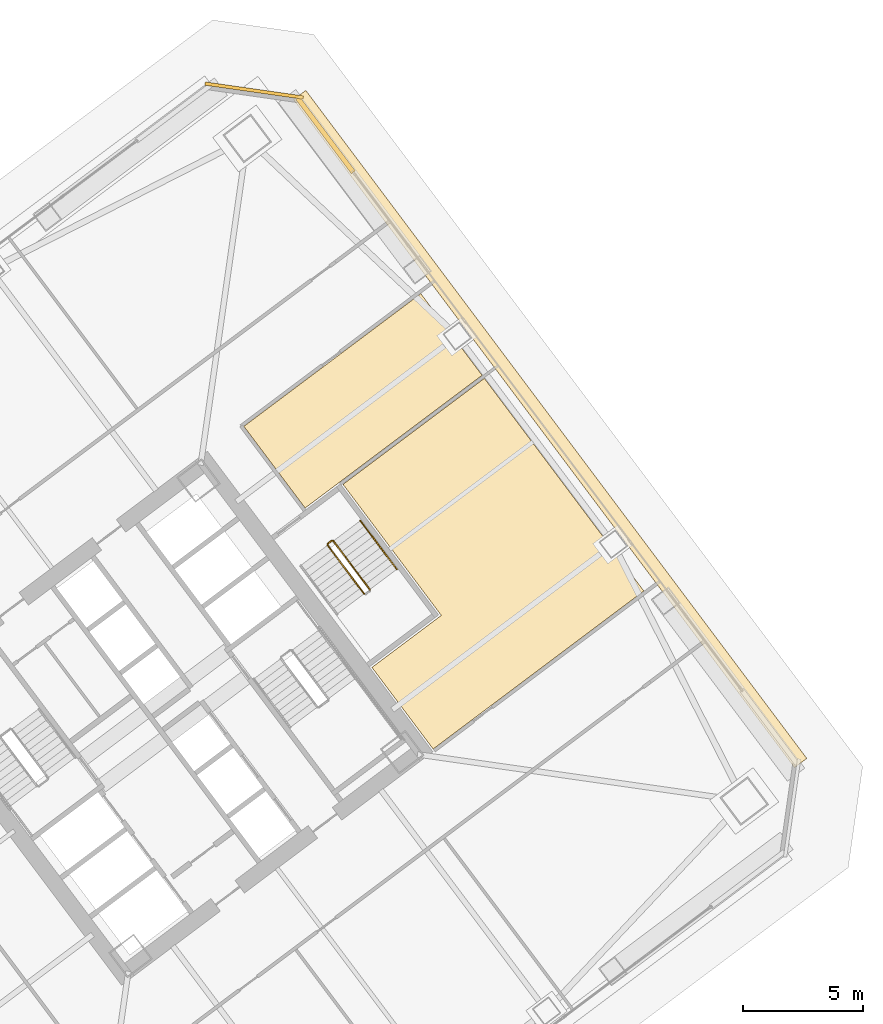
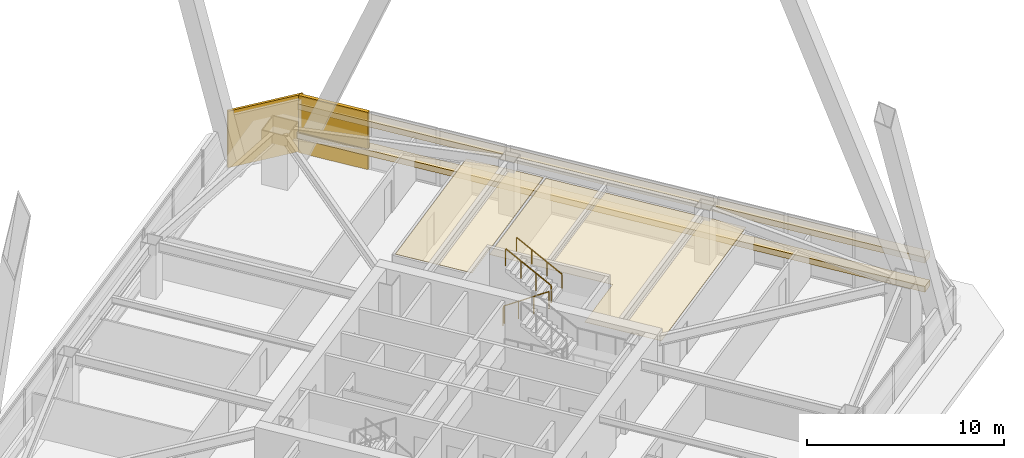
# One storey, part 67 of 67: 6 coverings, 4 railings.
"""IFC4 building model written with IfcOpenShell, lengths in metres."""

from ifc_helpers import new_model, si_unit, direction, frame, origin, origin_2d, place, context, subcontext, project, spatial, polyline, rectangle, outline, extrude, material, layer, layer_set, type_object, element, save


model = new_model("IFC4")

# Units and contexts
model_context = context("Model", 3, precision=1e-05, world=origin(), true_north=direction((0.0, 1.0)))
body_context = subcontext(model_context, "Body", "Model", "MODEL_VIEW")
ifc_project = project(units=[si_unit("LENGTHUNIT", "METRE"), si_unit("AREAUNIT", "SQUARE_METRE"), si_unit("VOLUMEUNIT", "CUBIC_METRE"), si_unit("PLANEANGLEUNIT", "RADIAN"), si_unit("MASSUNIT", "GRAM", prefix="KILO")], contexts=[model_context])

# Site, building, storey
site_placement = place(None, origin())
site = spatial("IfcSite", under=ifc_project, at=site_placement, CompositionType="ELEMENT")
building_placement = place(site_placement, origin())
building = spatial("IfcBuilding", under=site, at=building_placement, Name="Tashvorn Skyway Center", CompositionType="ELEMENT")
storey_placement = place(building_placement, frame((0.0, 0.0, 67.199951171875)))
storey = spatial("IfcBuildingStorey", under=building, at=storey_placement, Name="L17", CompositionType="ELEMENT", Elevation=67.199951171875)

# Coverings
ifc_material_1 = material(Name="Precast concrete C40/50", Category="concrete")
ifc_layer_1 = layer(ifc_material_1, 0.199951171875)
ifc_layer_set_1 = layer_set([ifc_layer_1], Name="Precast concrete C40/50")
covering_type_1 = type_object("IfcCoveringType", Name="COV-BRACE-CLAD", PredefinedType="CLADDING", material=ifc_layer_set_1)
covering_1_placement = place(storey_placement, frame((120.68798828125, 56.216064453125, 0.0), z_axis=(0.0, 0.0, 1.0), x_axis=(0.600000004945, -0.799999996291, 0.0)))
element("IfcCovering", 1, at=covering_1_placement, inside=storey, type_object=covering_type_1, Name="Tower 2 L17 East Unitised Curtain Wall Mega-Brace Cladding Band 1", PredefinedType="CLADDING", context=body_context, shape_type="SweptSolid", body=[
    extrude(rectangle(XDim=3.840087890625, YDim=0.199951171875, at=origin_2d()), origin(), (0.0, 0.0, 1.0), 3.550048828125),
])
ifc_material_2 = material(Name="Mineral-fibre acoustic ceiling tile on suspended grid")
ifc_layer_2 = layer(ifc_material_2, 0.02001953125)
ifc_layer_set_2 = layer_set([ifc_layer_2], Name="Mineral-fibre acoustic ceiling tile on suspended grid")
covering_type_2 = type_object("IfcCoveringType", Name="COV-CEIL-20", PredefinedType="CEILING", material=ifc_layer_set_2)
covering_2_placement = place(storey_placement, frame((0.0, 0.0, 2.68310546875)))
element("IfcCovering", 2, at=covering_2_placement, inside=storey, type_object=covering_type_2, Name="Tower 2 L17 Gallery Showroom Acoustic Ceiling", PredefinedType="CEILING", context=body_context, shape_type="SweptSolid", body=[
    extrude(outline(polyline([(119.840087890625, 40.72998046875), (117.2958984375, 44.1220703125), (124.64794921875, 49.635986328125), (127.19189453125, 46.243896484375), (119.840087890625, 40.72998046875)])), origin(), (0.0, 0.0, 1.0), 0.02001953125),
])
covering_3_placement = place(storey_placement, frame((0.0, 0.0, 2.68310546875)))
element("IfcCovering", 3, at=covering_3_placement, inside=storey, type_object=covering_type_2, Name="Tower 2 L17 Public Restroom Acoustic Ceiling", PredefinedType="CEILING", context=body_context, shape_type="SweptSolid", body=[
    extrude(outline(polyline([(125.159912109375, 30.719970703125), (122.615966796875, 34.112060546875), (125.49609375, 36.27197265625), (121.416015625, 41.7119140625), (127.2880859375, 46.115966796875), (131.367919921875, 40.676025390625), (133.912109375, 37.283935546875), (125.159912109375, 30.719970703125)])), origin(), (0.0, 0.0, 1.0), 0.02001953125),
])
ifc_material_3 = material(Name="Perforated ceramic-coated bronze aluminium solar screen", Category="aluminium")
ifc_layer_3 = layer(ifc_material_3, 0.85009765625)
ifc_layer_set_3 = layer_set([ifc_layer_3], Name="Perforated ceramic-coated bronze aluminium solar screen")
covering_type_3 = type_object("IfcCoveringType", Name="COV-SOLAR-BAND", PredefinedType="CLADDING", material=ifc_layer_set_3)
for number, where, z_axis, x_axis, name in (
    (4, (130.01611328125, 44.011962890625, 0.919921875), (0.0, 0.0, 1.0), (0.600000004945, -0.799999996291, 0.0), "L17 Perforated Ceramic-Metal Solar Screen Louvre Band East 1"),
    (5, (130.01611328125, 44.011962890625, 2.72021484375), (0.0, 0.0, 1.0), (0.600000004945, -0.799999996291, 0.0), "L17 Perforated Ceramic-Metal Solar Screen Louvre Band East 2"),
):
    element("IfcCovering", number, at=place(storey_placement, frame(where, z_axis=z_axis, x_axis=x_axis)), inside=storey, type_object=covering_type_3, Name=name, PredefinedType="CLADDING", context=body_context, shape_type="SweptSolid", body=[
        extrude(rectangle(XDim=34.679931640625, YDim=0.639892578125, at=origin_2d()), origin(), (0.0, 0.0, 1.0), 0.360107421875),
    ])
ifc_layer_4 = layer(ifc_material_1, 0.35009765625)
ifc_layer_set_4 = layer_set([ifc_layer_4], Name="Precast concrete C40/50")
covering_type_4 = type_object("IfcCoveringType", Name="COV-STONE-TRIM", PredefinedType="CLADDING", material=ifc_layer_set_4)
covering_4_placement = place(storey_placement, frame((117.72412109375, 58.068115234375, 0.02001953125), z_axis=(0.0, 0.0, 1.0), x_axis=(0.989949494535, -0.141421350118, 0.0)))
element("IfcCovering", 6, at=covering_4_placement, inside=storey, type_object=covering_type_4, Name="Tower 2 L17 NE Mojave Limestone Corner Quoin", PredefinedType="CLADDING", context=body_context, shape_type="SweptSolid", body=[
    extrude(rectangle(XDim=4.119873046875, YDim=0.139892578125, at=origin_2d()), origin(), (0.0, 0.0, 1.0), 3.510009765625),
])

# Railings
ifc_material_4 = material(Name="Brushed stainless steel 316", Category="steel")
railing_type_1 = type_object("IfcRailingType", Name="RAIL-HAND-920", PredefinedType="HANDRAIL", material=ifc_material_4)
railing_1_placement = place(storey_placement, frame((123.64794921875, 38.18603515625, 1.95263671875)))
element("IfcRailing", 7, at=railing_1_placement, inside=storey, type_object=railing_type_1, Name="L17 ST-T2-3 stair handrail 2", PredefinedType="HANDRAIL", context=body_context, shape_type="SweptSolid", body=[
    extrude(rectangle(XDim=0.048095703125, YDim=0.048095703125, at=origin_2d()), frame((0.0, 0.0, 0.8759765625), z_axis=(-0.506768818287, 0.675664481285, 0.535409071218), x_axis=(-0.79998837352, -0.60001550166, 0.0)), (0.0, 0.0, 1.0), 2.983642578125),
    extrude(rectangle(XDim=0.0419921875, YDim=0.0419921875, at=origin_2d()), origin(), (0.0, 0.0, 1.0), 0.851806640625),
    extrude(rectangle(XDim=0.0419921875, YDim=0.0419921875, at=origin_2d()), frame((-0.50390625, 0.671875, 0.532470703125)), (0.0, 0.0, 1.0), 0.851806640625),
    extrude(rectangle(XDim=0.0419921875, YDim=0.0419921875, at=origin_2d()), frame((-1.008056640625, 1.343994140625, 1.06494140625)), (0.0, 0.0, 1.0), 0.851806640625),
    extrude(rectangle(XDim=0.0419921875, YDim=0.0419921875, at=origin_2d()), frame((-1.511962890625, 2.015869140625, 1.597412109375)), (0.0, 0.0, 1.0), 0.851806640625),
])
ifc_material_5 = material(Name="Painted galvanized steel S355", Category="steel")
railing_type_2 = type_object("IfcRailingType", Name="RAIL-STGUARD-1100", PredefinedType="GUARDRAIL", material=ifc_material_5)
railing_2_placement = place(storey_placement, frame((120.77587890625, 39.181884765625, 0.177490234375)))
element("IfcRailing", 8, at=railing_2_placement, inside=storey, type_object=railing_type_2, Name="L17 ST-T2-3 stair guard 1", PredefinedType="GUARDRAIL", context=body_context, shape_type="SweptSolid", body=[
    extrude(rectangle(XDim=0.048095703125, YDim=0.048095703125, at=origin_2d()), frame((0.0, 0.0, 1.076171875), z_axis=(0.506807425148, -0.675606863004, 0.535445235739), x_axis=(0.799941867976, 0.600077501544, 0.0)), (0.0, 0.0, 1.0), 2.98388671875),
    extrude(rectangle(XDim=0.0419921875, YDim=0.0419921875, at=origin_2d()), origin(), (0.0, 0.0, 1.0), 1.052001953125),
    extrude(rectangle(XDim=0.0419921875, YDim=0.0419921875, at=origin_2d()), frame((0.504150390625, -0.671875, 0.532470703125)), (0.0, 0.0, 1.0), 1.052001953125),
    extrude(rectangle(XDim=0.0419921875, YDim=0.0419921875, at=origin_2d()), frame((1.008056640625, -1.343994140625, 1.065185546875)), (0.0, 0.0, 1.0), 1.052001953125),
    extrude(rectangle(XDim=0.0419921875, YDim=0.0419921875, at=origin_2d()), frame((1.51220703125, -2.015869140625, 1.59765625)), (0.0, 0.0, 1.0), 1.052001953125),
])
railing_3_placement = place(storey_placement, frame((122.528076171875, 37.345947265625, 1.95263671875)))
element("IfcRailing", 9, at=railing_3_placement, inside=storey, type_object=railing_type_2, Name="L17 ST-T2-3 stair guard 3", PredefinedType="GUARDRAIL", context=body_context, shape_type="SweptSolid", body=[
    extrude(rectangle(XDim=0.048095703125, YDim=0.048095703125, at=origin_2d()), frame((0.0, 0.0, 1.076171875), z_axis=(-0.506740800098, 0.675708949977, 0.535379469569), x_axis=(-0.800023250257, -0.599968998406, 0.0)), (0.0, 0.0, 1.0), 2.983642578125),
    extrude(rectangle(XDim=0.0419921875, YDim=0.0419921875, at=origin_2d()), origin(), (0.0, 0.0, 1.0), 1.052001953125),
    extrude(rectangle(XDim=0.0419921875, YDim=0.0419921875, at=origin_2d()), frame((-0.50390625, 0.672119140625, 0.532470703125)), (0.0, 0.0, 1.0), 1.052001953125),
    extrude(rectangle(XDim=0.0419921875, YDim=0.0419921875, at=origin_2d()), frame((-1.008056640625, 1.343994140625, 1.06494140625)), (0.0, 0.0, 1.0), 1.052001953125),
    extrude(rectangle(XDim=0.0419921875, YDim=0.0419921875, at=origin_2d()), frame((-1.511962890625, 2.01611328125, 1.597412109375)), (0.0, 0.0, 1.0), 1.052001953125),
])
railing_4_placement = place(storey_placement, frame((120.785888671875, 39.251953125, 0.0)))
element("IfcRailing", 10, at=railing_4_placement, inside=storey, type_object=railing_type_2, Name="L17 ST-T2-3 stair guard 4", PredefinedType="GUARDRAIL", context=body_context, shape_type="SweptSolid", body=[
    extrude(rectangle(XDim=0.048095703125, YDim=0.048095703125, at=origin_2d()), frame((0.0, 0.0, 1.076171875), z_axis=(0.8, 0.6, 0.0), x_axis=(-0.6, 0.8, 0.0)), (0.0, 0.0, 1.0), 0.2001953125),
    extrude(rectangle(XDim=0.0419921875, YDim=0.0419921875, at=origin_2d()), origin(), (0.0, 0.0, 1.0), 1.052001953125),
    extrude(rectangle(XDim=0.0419921875, YDim=0.0419921875, at=origin_2d()), frame((0.16015625, 0.1201171875, 0.0)), (0.0, 0.0, 1.0), 1.052001953125),
])

save(model, "model.ifc")
